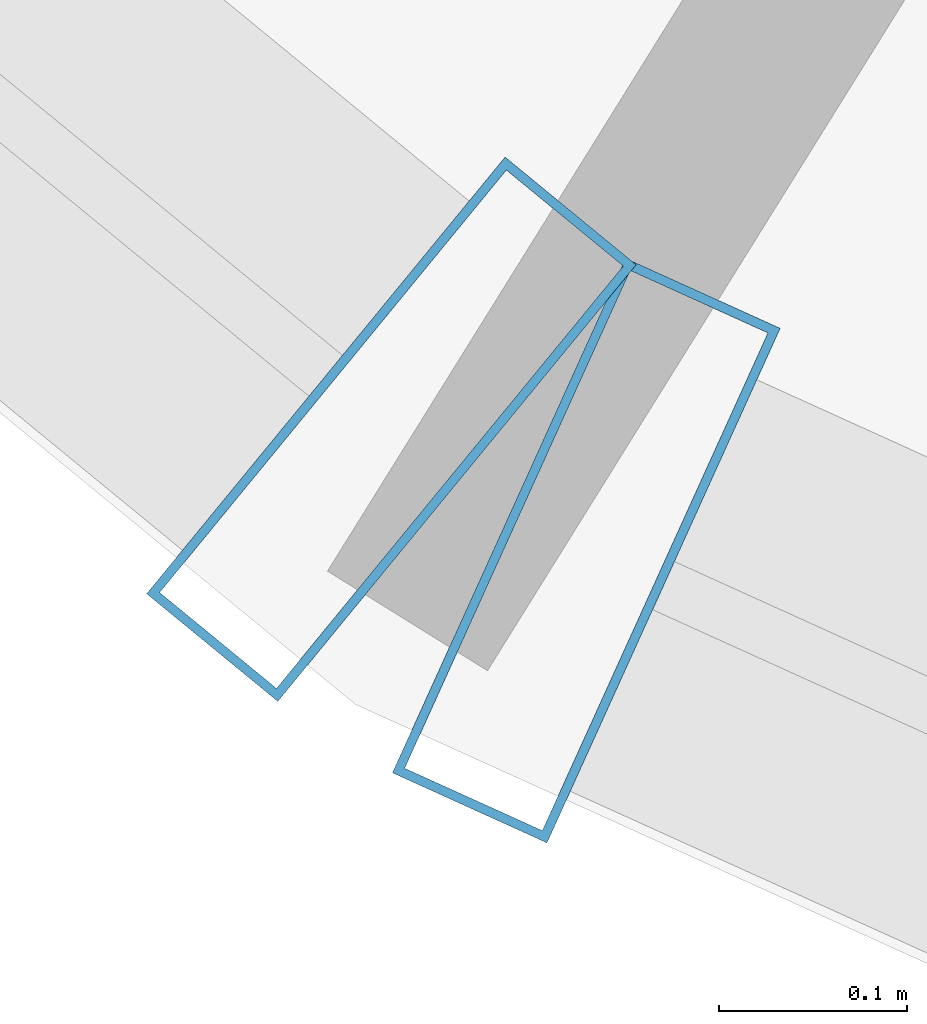
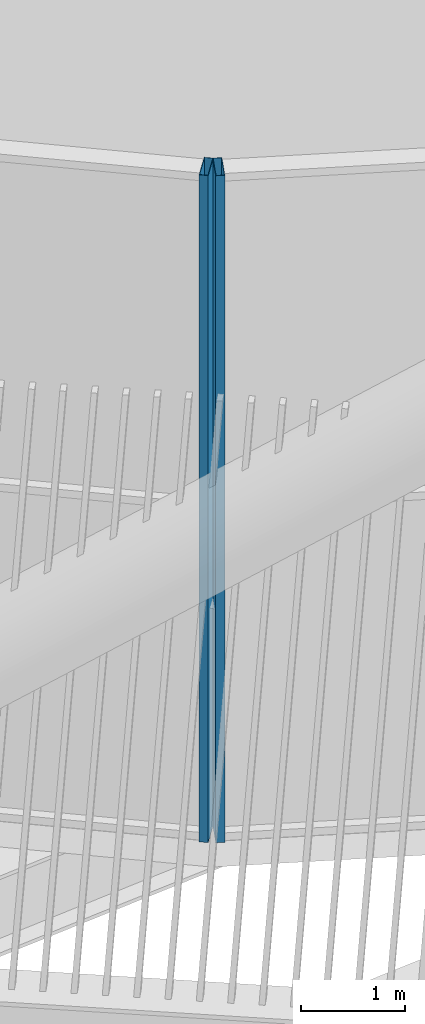
# One storey, part 2 of 55: 2 members, 2 elements without a shape of their own.
"""IFC4 building model written with IfcOpenShell, lengths in metres."""

from ifc_helpers import new_model, si_unit, direction, frame, origin, origin_2d, place, context, subcontext, project, spatial, hollow_rectangle, extrude, material, layer, layer_set, material_profile, profile_set, type_object, element, aggregate, save


model = new_model("IFC4")

# Units and contexts
model_context = context("Model", 3, precision=1e-05, world=origin(), true_north=direction((0.0, 1.0)))
body_context = subcontext(model_context, "Body", "Model", "MODEL_VIEW")
ifc_project = project(units=[si_unit("LENGTHUNIT", "METRE"), si_unit("AREAUNIT", "SQUARE_METRE"), si_unit("VOLUMEUNIT", "CUBIC_METRE"), si_unit("PLANEANGLEUNIT", "RADIAN"), si_unit("MASSUNIT", "GRAM", prefix="KILO")], contexts=[model_context])

# Site, building, storey
site_placement = place(None, origin())
site = spatial("IfcSite", under=ifc_project, at=site_placement, CompositionType="ELEMENT")
building_placement = place(site_placement, origin())
building = spatial("IfcBuilding", under=site, at=building_placement, Name="Tarsis Ring Headquarters", CompositionType="ELEMENT")
storey_placement = place(building_placement, frame((0.0, 0.0, 247.199951171875)))
storey = spatial("IfcBuildingStorey", under=building, at=storey_placement, Name="L58", CompositionType="ELEMENT", Elevation=247.199951171875)

# Curtain wall, member
ifc_material_1 = material(Name="Aluminium curtain wall", Category="aluminium")
ifc_layer = layer(ifc_material_1, 0.300048828125)
ifc_layer_set = layer_set([ifc_layer], Name="Curtain wall upper sky lobby")
curtain_wall_type = type_object("IfcCurtainWallType", Name="Curtain wall upper sky lobby", PredefinedType="NOTDEFINED", material=ifc_layer_set)
curtain_wall_1_placement = place(storey_placement, origin())
curtain_wall_1 = element("IfcCurtainWall", 1, at=curtain_wall_1_placement, inside=storey, type_object=curtain_wall_type, Name="Curtain wall L58-04", PredefinedType="NOTDEFINED")
ifc_material_2 = material(Name="Aluminium mullion", Category="aluminium")
ifc_material_profile = material_profile(ifc_material_2, hollow_rectangle(XDim=0.300048828125, YDim=0.090087890625, WallThickness=0.0048828125, at=origin_2d()), Name="RHS 300x90x5")
ifc_profile_set = profile_set([ifc_material_profile], Name="Aluminium mullion")
member_type = type_object("IfcMemberType", Name="Curtain wall mullion upper sky lobby RHS 300x90x5", PredefinedType="MULLION", material=ifc_profile_set)
member_1_placement = place(storey_placement, frame((-13.712646484375, -21.931884765625, 0.0), z_axis=(0.0, 0.0, 1.0), x_axis=(0.634460710658, 0.772955112947, 0.0)))
member_1 = element("IfcMember", 2, at=member_1_placement, type_object=member_type, Name="CW-U mullion 2", PredefinedType="MULLION", context=body_context, shape_type="SweptSolid", body=[
    extrude(hollow_rectangle(XDim=0.300048828125, YDim=0.090087890625, WallThickness=0.0048828125, at=origin_2d()), origin(), (0.0, 0.0, 1.0), 7.840087890625),
])
aggregate(curtain_wall_1, [member_1])

curtain_wall_2_placement = place(storey_placement, origin())
curtain_wall_2 = element("IfcCurtainWall", 3, at=curtain_wall_2_placement, inside=storey, type_object=curtain_wall_type, Name="Curtain wall L58-05", PredefinedType="NOTDEFINED")
member_2_placement = place(storey_placement, frame((-13.609130859375, -21.996337890625, 0.0), z_axis=(0.0, 0.0, 1.0), x_axis=(0.412786775185, 0.910827688552, 0.0)))
member_2 = element("IfcMember", 4, at=member_2_placement, type_object=member_type, Name="CW-U mullion 1", PredefinedType="MULLION", context=body_context, shape_type="SweptSolid", body=[
    extrude(hollow_rectangle(XDim=0.300048828125, YDim=0.090087890625, WallThickness=0.0048828125, at=origin_2d()), origin(), (0.0, 0.0, 1.0), 7.840087890625),
])
aggregate(curtain_wall_2, [member_2])

save(model, "model.ifc")
